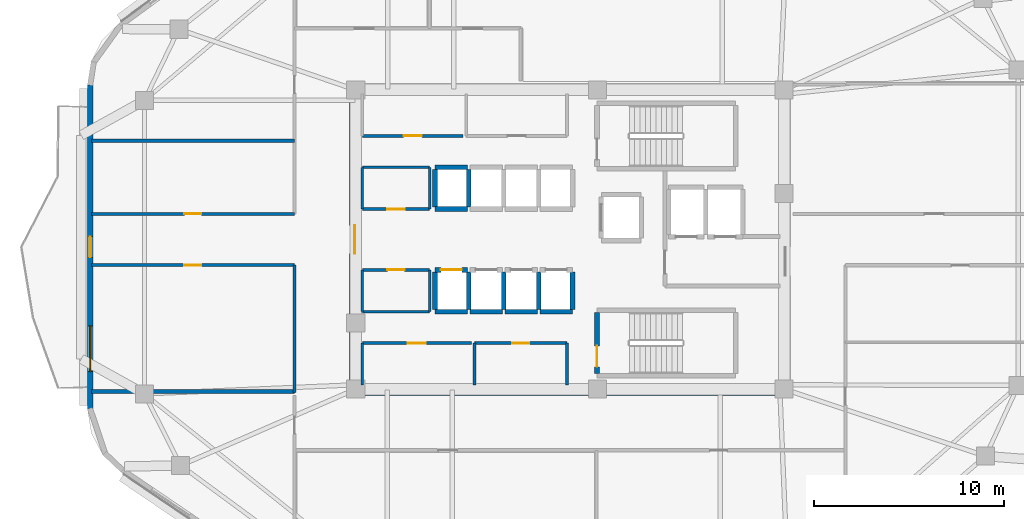
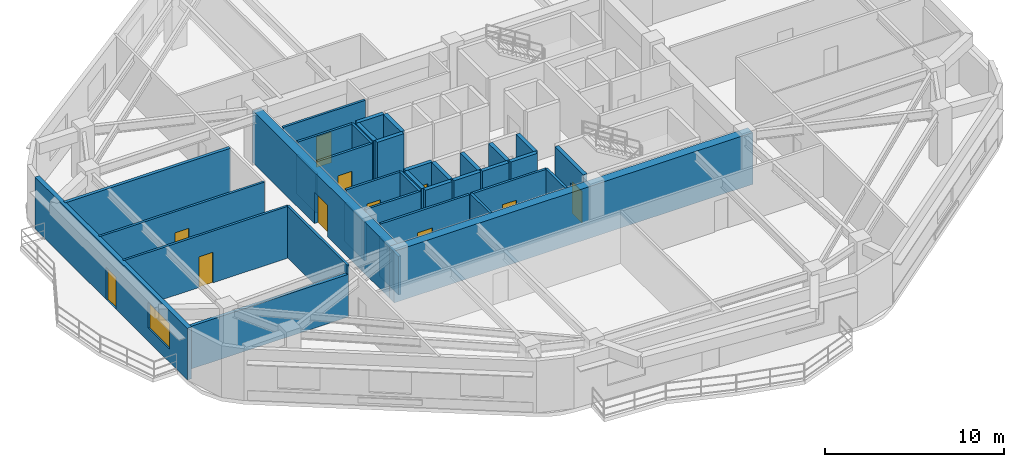
# One storey, part 3 of 9: 37 walls, 11 doors, 1 window, 12 openings.
"""IFC4 building model written with IfcOpenShell, lengths in metres."""

from ifc_helpers import new_model, si_unit, direction, frame, frame_2d, origin, place, context, subcontext, project, spatial, rectangle, extrude, material, layer, layer_set, type_object, element, fill, save


model = new_model("IFC4")

# Units and contexts
model_context = context("Model", 3, precision=1e-05, world=origin(), true_north=direction((0.0, 1.0)))
body_context = subcontext(model_context, "Body", "Model", "MODEL_VIEW")
ifc_project = project(units=[si_unit("LENGTHUNIT", "METRE"), si_unit("AREAUNIT", "SQUARE_METRE"), si_unit("VOLUMEUNIT", "CUBIC_METRE"), si_unit("PLANEANGLEUNIT", "RADIAN"), si_unit("MASSUNIT", "GRAM", prefix="KILO")], contexts=[model_context])

# Site, building, storey
site_placement = place(None, origin())
site = spatial("IfcSite", under=ifc_project, at=site_placement, CompositionType="ELEMENT")
building_placement = place(site_placement, origin())
building = spatial("IfcBuilding", under=site, at=building_placement, Name="Zulverin Broadcast Headquarters", CompositionType="ELEMENT")
storey_placement = place(building_placement, frame((0.0, 0.0, 212.39990234375)))
storey = spatial("IfcBuildingStorey", under=building, at=storey_placement, Name="L54", CompositionType="ELEMENT", Elevation=212.39990234375)

# Walls
ifc_material_1 = material(Name="Acoustic drywall steel stud", Category="steel")
ifc_layer_1 = layer(ifc_material_1, 0.199951171875, Name="Acoustic drywall steel stud", Category="steel")
ifc_layer_set_1 = layer_set([ifc_layer_1], Name="Acoustic drywall steel stud")
wall_type_1 = type_object("IfcWallType", Name="WL-ACOU-200", PredefinedType="PARTITIONING", material=ifc_layer_set_1)
wall_1_placement = place(storey_placement, frame((11.804931640625, 17.199951171875, 0.0), z_axis=(0.0, 0.0, 1.0), x_axis=(1.0, 0.0, 0.0)))
element("IfcWall", 1, at=wall_1_placement, inside=storey, type_object=wall_type_1, Name="L54 Room Partition Wall RP-09", PredefinedType="PARTITIONING", context=body_context, shape_type="SweptSolid", body=[
    extrude(rectangle(XDim=10.695068359375, YDim=0.199951171875, at=frame_2d((5.34765625, 0.0))), origin(), (0.0, 0.0, 1.0), 2.9228515625),
])
wall_2_placement = place(storey_placement, frame((11.804931640625, 30.39990234375, 0.0), z_axis=(0.0, 0.0, 1.0), x_axis=(1.0, 0.0, 0.0)))
element("IfcWall", 2, at=wall_2_placement, inside=storey, type_object=wall_type_1, Name="L54 Room Partition Wall RP-15", PredefinedType="PARTITIONING", context=body_context, shape_type="SweptSolid", body=[
    extrude(rectangle(XDim=10.695068359375, YDim=0.199951171875, at=frame_2d((5.34765625, 0.0))), origin(), (0.0, 0.0, 1.0), 3.5400390625),
])
ifc_material_2 = material(Name="Concrete C60/75", Category="concrete")
ifc_layer_2 = layer(ifc_material_2, 0.550048828125, Name="Concrete C60/75", Category="concrete")
ifc_layer_set_2 = layer_set([ifc_layer_2], Name="Concrete C60/75")
wall_type_2 = type_object("IfcWallType", Name="WL-CORE-550", PredefinedType="SHEAR", material=ifc_layer_set_2)
wall_3_placement = place(storey_placement, frame((25.39990234375, 17.27490234375, 0.0), z_axis=(0.0, 0.0, 1.0), x_axis=(1.0, 0.0, 0.0)))
element("IfcWall", 3, at=wall_3_placement, inside=storey, type_object=wall_type_2, Name="L54 Core South Shear Wall", PredefinedType="SHEAR", context=body_context, shape_type="SweptSolid", body=[
    extrude(rectangle(XDim=23.2001953125, YDim=0.550048828125, at=frame_2d((11.60009765625, 0.0))), origin(), (0.0, 0.0, 1.0), 3.5400390625),
])

# Wall, opening, door
wall_4_placement = place(storey_placement, frame((25.675048828125, 17.550048828125, 0.0), z_axis=(0.0, 0.0, 1.0), x_axis=(0.0, 1.0, 0.0)))
wall_4 = element("IfcWall", 4, at=wall_4_placement, inside=storey, type_object=wall_type_2, Name="L54 Core West Shear Wall", PredefinedType="SHEAR", context=body_context, shape_type="SweptSolid", body=[
    extrude(rectangle(XDim=15.300048828125, YDim=0.550048828125, at=frame_2d((7.64990234375, 0.0))), origin(), (0.0, 0.0, 1.0), 3.5400390625),
])
opening_1_placement = place(wall_4_placement, frame((6.89990234375, 0.0, 0.0)))
opening_1 = element("IfcOpeningElement", 5, at=opening_1_placement, cuts=wall_4, Name="Opening D-L54-CW1", PredefinedType="OPENING", context=body_context, shape_type="SweptSolid", body=[
    extrude(rectangle(XDim=1.5, YDim=2.14990234375, at=frame_2d((0.75, 1.074951171875))), frame((0.0, 0.284912109375, 0.0), z_axis=(0.0, -1.0, 0.0), x_axis=(1.0, 0.0, 0.0)), (0.0, 0.0, 1.0), 0.570068359375),
])
ifc_material_3 = material(Name="Fire-rated glazed steel frame", Category="steel")
door_type_1 = type_object("IfcDoorType", Name="DR-COR-1500", OperationType="DOUBLE_DOOR_SINGLE_SWING", PredefinedType="DOOR", material=ifc_material_3)
door_1_placement = place(opening_1_placement, origin())
door_1 = element("IfcDoor", 6, at=door_1_placement, inside=storey, type_object=door_type_1, Name="L54 Central Lift Lobby West Portal Door", OperationType="DOUBLE_DOOR_SINGLE_SWING", OverallHeight=2.14990234375, OverallWidth=1.5, PredefinedType="DOOR", context=body_context, shape_type="SweptSolid", body=[
    extrude(rectangle(XDim=1.5, YDim=2.14990234375, at=frame_2d((0.75, 1.074951171875))), frame((0.0, 0.02490234375, 0.0), z_axis=(0.0, -1.0, 0.0), x_axis=(1.0, 0.0, 0.0)), (0.0, 0.0, 1.0), 0.050048828125),
])
fill(opening_1, door_1)

# Wall, openings, door, window
ifc_material_4 = material(Name="Insulated pale-metal clad concrete spandrel C40/50", Category="concrete")
ifc_layer_3 = layer(ifc_material_4, 0.280029296875, Name="Insulated pale-metal clad concrete spandrel C40/50", Category="concrete")
ifc_layer_set_3 = layer_set([ifc_layer_3], Name="Insulated pale-metal clad concrete spandrel C40/50")
wall_type_3 = type_object("IfcWallType", Name="WL-EXT-280", PredefinedType="STANDARD", material=ifc_layer_set_3)
wall_5_placement = place(storey_placement, frame((11.739990234375, 33.34033203125, 0.0), z_axis=(0.0, 0.0, 1.0), x_axis=(0.0, -1.0, 0.0)))
wall_5 = element("IfcWall", 7, at=wall_5_placement, inside=storey, type_object=wall_type_3, Name="L54 Pale-Metal Clad Spandrel Wall 7", PredefinedType="STANDARD", context=body_context, shape_type="SweptSolid", body=[
    extrude(rectangle(XDim=17.07275390625, YDim=0.280029296875, at=frame_2d((8.536376953125, 0.0))), origin(), (0.0, 0.0, 1.0), 3.5400390625),
])
opening_2_placement = place(wall_5_placement, frame((7.986328125, 0.0, 0.0)))
opening_2 = element("IfcOpeningElement", 8, at=opening_2_placement, cuts=wall_5, Name="Opening D-L54-TR7", PredefinedType="OPENING", context=body_context, shape_type="SweptSolid", body=[
    extrude(rectangle(XDim=1.10009765625, YDim=2.199951171875, at=frame_2d((0.550048828125, 1.10009765625))), frame((0.0, 0.14990234375, 0.0), z_axis=(0.0, -1.0, 0.0), x_axis=(1.0, 0.0, 0.0)), (0.0, 0.0, 1.0), 0.300048828125),
])
opening_3_placement = place(wall_5_placement, frame((12.69384765625, 0.0, 0.89990234375)))
opening_3 = element("IfcOpeningElement", 9, at=opening_3_placement, cuts=wall_5, Name="Opening W-L54-E71", PredefinedType="OPENING", context=body_context, shape_type="SweptSolid", body=[
    extrude(rectangle(XDim=2.39990234375, YDim=1.75, at=frame_2d((1.199951171875, 0.875))), frame((0.0, 0.14990234375, 0.0), z_axis=(0.0, -1.0, 0.0), x_axis=(1.0, 0.0, 0.0)), (0.0, 0.0, 1.0), 0.300048828125),
])
ifc_material_5 = material(Name="Thermally broken aluminium glazed", Category="aluminium")
door_type_2 = type_object("IfcDoorType", Name="DR-TERR-1100", OperationType="SINGLE_SWING_RIGHT", PredefinedType="DOOR", material=ifc_material_5)
door_2_placement = place(opening_2_placement, origin())
door_2 = element("IfcDoor", 10, at=door_2_placement, inside=storey, type_object=door_type_2, Name="L54 Planted Terrace Glazed Access Door 7", OperationType="SINGLE_SWING_RIGHT", OverallHeight=2.199951171875, OverallWidth=1.10009765625, PredefinedType="DOOR", context=body_context, shape_type="SweptSolid", body=[
    extrude(rectangle(XDim=1.10009765625, YDim=2.199951171875, at=frame_2d((0.550048828125, 1.10009765625))), frame((0.0, 0.02490234375, 0.0), z_axis=(0.0, -1.0, 0.0), x_axis=(1.0, 0.0, 0.0)), (0.0, 0.0, 1.0), 0.050048828125),
])
fill(opening_2, door_2)
ifc_material_6 = material(Name="Pale anodized aluminium frame with solar-control low-E double glazing", Category="aluminium")
window_type = type_object("IfcWindowType", Name="WIN-RIB-2400", PartitioningType="SINGLE_PANEL", PredefinedType="WINDOW", material=ifc_material_6)
window_placement = place(opening_3_placement, origin())
window = element("IfcWindow", 11, at=window_placement, inside=storey, type_object=window_type, Name="L54 Ribbon Glazing Window 7 1", OverallHeight=1.75, OverallWidth=2.39990234375, PartitioningType="SINGLE_PANEL", PredefinedType="WINDOW", context=body_context, shape_type="SweptSolid", body=[
    extrude(rectangle(XDim=2.39990234375, YDim=1.75, at=frame_2d((1.199951171875, 0.875))), frame((0.0, 0.030029296875, 0.0), z_axis=(0.0, -1.0, 0.0), x_axis=(1.0, 0.0, 0.0)), (0.0, 0.0, 1.0), 0.06005859375),
])
fill(opening_3, window)

# Wall, opening, door
ifc_material_7 = material(Name="Fire-rated gypsum stud partition", Category="gypsum")
ifc_layer_4 = layer(ifc_material_7, 0.14990234375, Name="Fire-rated gypsum stud partition", Category="gypsum")
ifc_layer_set_4 = layer_set([ifc_layer_4], Name="Fire-rated gypsum stud partition")
wall_type_4 = type_object("IfcWallType", Name="WL-PART-150", PredefinedType="PARTITIONING", material=ifc_layer_set_4)
wall_6_placement = place(storey_placement, frame((26.070068359375, 30.64990234375, 0.0), z_axis=(0.0, 0.0, 1.0), x_axis=(1.0, 0.0, 0.0)))
wall_6 = element("IfcWall", 12, at=wall_6_placement, inside=storey, type_object=wall_type_4, Name="L54 Core Male WC Front Wall", PredefinedType="PARTITIONING", context=body_context, shape_type="SweptSolid", body=[
    extrude(rectangle(XDim=5.309814453125, YDim=0.14990234375, at=frame_2d((2.65478515625, 0.0))), origin(), (0.0, 0.0, 1.0), 3.5400390625),
])
opening_4_placement = place(wall_6_placement, frame((2.179931640625, 0.0, 0.0)))
opening_4 = element("IfcOpeningElement", 13, at=opening_4_placement, cuts=wall_6, Name="Opening D-L54-NC1", PredefinedType="OPENING", context=body_context, shape_type="SweptSolid", body=[
    extrude(rectangle(XDim=0.949951171875, YDim=2.10009765625, at=frame_2d((0.47509765625, 1.050048828125))), frame((0.0, 0.0849609375, 0.0), z_axis=(0.0, -1.0, 0.0), x_axis=(1.0, 0.0, 0.0)), (0.0, 0.0, 1.0), 0.169921875),
])
ifc_material_8 = material(Name="Fire-rated moisture-resistant laminate leaf", Category="wood")
door_type_3 = type_object("IfcDoorType", Name="DR-WC-950", OperationType="SINGLE_SWING_LEFT", PredefinedType="DOOR", material=ifc_material_8)
door_3_placement = place(opening_4_placement, origin())
door_3 = element("IfcDoor", 14, at=door_3_placement, inside=storey, type_object=door_type_3, Name="L54 Male WC Door", OperationType="SINGLE_SWING_LEFT", OverallHeight=2.10009765625, OverallWidth=0.949951171875, PredefinedType="DOOR", context=body_context, shape_type="SweptSolid", body=[
    extrude(rectangle(XDim=0.949951171875, YDim=2.10009765625, at=frame_2d((0.47509765625, 1.050048828125))), frame((0.0, 0.02490234375, 0.0), z_axis=(0.0, -1.0, 0.0), x_axis=(1.0, 0.0, 0.0)), (0.0, 0.0, 1.0), 0.050048828125),
])
fill(opening_4, door_3)

wall_7_placement = place(storey_placement, frame((26.070068359375, 19.75, 0.0), z_axis=(0.0, 0.0, 1.0), x_axis=(1.0, 0.0, 0.0)))
wall_7 = element("IfcWall", 15, at=wall_7_placement, inside=storey, type_object=wall_type_4, Name="L54 Core Female WC Front Wall", PredefinedType="PARTITIONING", context=body_context, shape_type="SweptSolid", body=[
    extrude(rectangle(XDim=5.739990234375, YDim=0.14990234375, at=frame_2d((2.8701171875, 0.0))), origin(), (0.0, 0.0, 1.0), 3.5400390625),
])
opening_5_placement = place(wall_7_placement, frame((2.39501953125, 0.0, 0.0)))
opening_5 = element("IfcOpeningElement", 16, at=opening_5_placement, cuts=wall_7, Name="Opening D-L54-SC1", PredefinedType="OPENING", context=body_context, shape_type="SweptSolid", body=[
    extrude(rectangle(XDim=0.949951171875, YDim=2.10009765625, at=frame_2d((0.47509765625, 1.050048828125))), frame((0.0, 0.0849609375, 0.0), z_axis=(0.0, -1.0, 0.0), x_axis=(1.0, 0.0, 0.0)), (0.0, 0.0, 1.0), 0.169921875),
])
door_4_placement = place(opening_5_placement, origin())
door_4 = element("IfcDoor", 17, at=door_4_placement, inside=storey, type_object=door_type_3, Name="L54 Female WC Door", OperationType="SINGLE_SWING_LEFT", OverallHeight=2.10009765625, OverallWidth=0.949951171875, PredefinedType="DOOR", context=body_context, shape_type="SweptSolid", body=[
    extrude(rectangle(XDim=0.949951171875, YDim=2.10009765625, at=frame_2d((0.47509765625, 1.050048828125))), frame((0.0, 0.02490234375, 0.0), z_axis=(0.0, -1.0, 0.0), x_axis=(1.0, 0.0, 0.0)), (0.0, 0.0, 1.0), 0.050048828125),
])
fill(opening_5, door_4)

# Wall
wall_8_placement = place(storey_placement, frame((26.070068359375, 17.550048828125, 0.0), z_axis=(0.0, 0.0, 1.0), x_axis=(0.0, 1.0, 0.0)))
element("IfcWall", 18, at=wall_8_placement, inside=storey, type_object=wall_type_4, Name="L54 Core Female WC West Wall", PredefinedType="PARTITIONING", context=body_context, shape_type="SweptSolid", body=[
    extrude(rectangle(XDim=2.199951171875, YDim=0.14990234375, at=frame_2d((1.10009765625, 0.0))), origin(), (0.0, 0.0, 1.0), 2.64013671875),
])

# Wall, opening, door
wall_9_placement = place(storey_placement, frame((31.969970703125, 19.75, 0.0), z_axis=(0.0, 0.0, 1.0), x_axis=(1.0, 0.0, 0.0)))
wall_9 = element("IfcWall", 19, at=wall_9_placement, inside=storey, type_object=wall_type_4, Name="L54 Core Cleaner Store & Telecoms Riser Front Wall", PredefinedType="PARTITIONING", context=body_context, shape_type="SweptSolid", body=[
    extrude(rectangle(XDim=4.880126953125, YDim=0.14990234375, at=frame_2d((2.43994140625, 0.0))), origin(), (0.0, 0.0, 1.0), 3.5400390625),
])
opening_6_placement = place(wall_9_placement, frame((1.989990234375, 0.0, 0.0)))
opening_6 = element("IfcOpeningElement", 20, at=opening_6_placement, cuts=wall_9, Name="Opening D-L54-SC2", PredefinedType="OPENING", context=body_context, shape_type="SweptSolid", body=[
    extrude(rectangle(XDim=0.89990234375, YDim=2.10009765625, at=frame_2d((0.449951171875, 1.050048828125))), frame((0.0, 0.0849609375, 0.0), z_axis=(0.0, -1.0, 0.0), x_axis=(1.0, 0.0, 0.0)), (0.0, 0.0, 1.0), 0.169921875),
])
ifc_material_9 = material(Name="Powder-coated steel access leaf", Category="steel")
door_type_4 = type_object("IfcDoorType", Name="DR-RISER-900", OperationType="SINGLE_SWING_LEFT", PredefinedType="DOOR", material=ifc_material_9)
door_5_placement = place(opening_6_placement, origin())
door_5 = element("IfcDoor", 21, at=door_5_placement, inside=storey, type_object=door_type_4, Name="L54 Cleaner Store & Telecoms Riser Door", OperationType="SINGLE_SWING_RIGHT", OverallHeight=2.10009765625, OverallWidth=0.89990234375, PredefinedType="DOOR", context=body_context, shape_type="SweptSolid", body=[
    extrude(rectangle(XDim=0.89990234375, YDim=2.10009765625, at=frame_2d((0.449951171875, 1.050048828125))), frame((0.0, 0.02490234375, 0.0), z_axis=(0.0, -1.0, 0.0), x_axis=(1.0, 0.0, 0.0)), (0.0, 0.0, 1.0), 0.050048828125),
])
fill(opening_6, door_5)

# Walls
for number, where, z_axis, x_axis, name in (
    (22, (31.969970703125, 17.550048828125, 0.0), (0.0, 0.0, 1.0), (0.0, 1.0, 0.0), "L54 Core Cleaner Store & Telecoms Riser West Wall"),
    (23, (36.85009765625, 17.550048828125, 0.0), (0.0, 0.0, 1.0), (0.0, 1.0, 0.0), "L54 Core Cleaner Store & Telecoms Riser East Wall"),
):
    element("IfcWall", number, at=place(storey_placement, frame(where, z_axis=z_axis, x_axis=x_axis)), inside=storey, type_object=wall_type_4, Name=name, PredefinedType="PARTITIONING", context=body_context, shape_type="SweptSolid", body=[
        extrude(rectangle(XDim=2.199951171875, YDim=0.14990234375, at=frame_2d((1.10009765625, 0.0))), origin(), (0.0, 0.0, 1.0), 3.5400390625),
    ])

# Wall, opening, door
wall_10_placement = place(storey_placement, frame((26.070068359375, 26.800048828125, 0.0), z_axis=(0.0, 0.0, 1.0), x_axis=(1.0, 0.0, 0.0)))
wall_10 = element("IfcWall", 24, at=wall_10_placement, inside=storey, type_object=wall_type_4, Name="L54 Broadcast Signal Patch Room S Wall", PredefinedType="PARTITIONING", context=body_context, shape_type="SweptSolid", body=[
    extrude(rectangle(XDim=3.550048828125, YDim=0.14990234375, at=frame_2d((1.77490234375, 0.0))), origin(), (0.0, 0.0, 1.0), 3.5400390625),
])
opening_7_placement = place(wall_10_placement, frame((1.324951171875, 0.0, 0.0)))
opening_7 = element("IfcOpeningElement", 25, at=opening_7_placement, cuts=wall_10, Name="Opening D-L54-RCLN", PredefinedType="OPENING", context=body_context, shape_type="SweptSolid", body=[
    extrude(rectangle(XDim=0.89990234375, YDim=2.10009765625, at=frame_2d((0.449951171875, 1.050048828125))), frame((0.0, 0.0849609375, 0.0), z_axis=(0.0, -1.0, 0.0), x_axis=(1.0, 0.0, 0.0)), (0.0, 0.0, 1.0), 0.169921875),
])
door_6_placement = place(opening_7_placement, origin())
door_6 = element("IfcDoor", 26, at=door_6_placement, inside=storey, type_object=door_type_4, Name="L54 Broadcast Signal Patch Room Door", OperationType="SINGLE_SWING_LEFT", OverallHeight=2.10009765625, OverallWidth=0.89990234375, PredefinedType="DOOR", context=body_context, shape_type="SweptSolid", body=[
    extrude(rectangle(XDim=0.89990234375, YDim=2.10009765625, at=frame_2d((0.449951171875, 1.050048828125))), frame((0.0, 0.02490234375, 0.0), z_axis=(0.0, -1.0, 0.0), x_axis=(1.0, 0.0, 0.0)), (0.0, 0.0, 1.0), 0.050048828125),
])
fill(opening_7, door_6)

# Walls
wall_11_placement = place(storey_placement, frame((26.070068359375, 29.0, 0.0), z_axis=(0.0, 0.0, 1.0), x_axis=(1.0, 0.0, 0.0)))
element("IfcWall", 27, at=wall_11_placement, inside=storey, type_object=wall_type_4, Name="L54 Broadcast Signal Patch Room N Wall", PredefinedType="PARTITIONING", context=body_context, shape_type="SweptSolid", body=[
    extrude(rectangle(XDim=3.550048828125, YDim=0.14990234375, at=frame_2d((1.77490234375, 0.0))), origin(), (0.0, 0.0, 1.0), 3.5400390625),
])
wall_12_placement = place(storey_placement, frame((26.070068359375, 26.800048828125, 0.0), z_axis=(0.0, 0.0, 1.0), x_axis=(0.0, 1.0, 0.0)))
element("IfcWall", 28, at=wall_12_placement, inside=storey, type_object=wall_type_4, Name="L54 Broadcast Signal Patch Room W Wall", PredefinedType="PARTITIONING", context=body_context, shape_type="SweptSolid", body=[
    extrude(rectangle(XDim=2.199951171875, YDim=0.14990234375, at=frame_2d((1.10009765625, 0.0))), origin(), (0.0, 0.0, 1.0), 2.64013671875),
])
wall_13_placement = place(storey_placement, frame((29.6201171875, 26.800048828125, 0.0), z_axis=(0.0, 0.0, 1.0), x_axis=(0.0, 1.0, 0.0)))
element("IfcWall", 29, at=wall_13_placement, inside=storey, type_object=wall_type_4, Name="L54 Broadcast Signal Patch Room E Wall", PredefinedType="PARTITIONING", context=body_context, shape_type="SweptSolid", body=[
    extrude(rectangle(XDim=2.199951171875, YDim=0.14990234375, at=frame_2d((1.10009765625, 0.0))), origin(), (0.0, 0.0, 1.0), 3.5400390625),
])
wall_14_placement = place(storey_placement, frame((26.070068359375, 21.39990234375, 0.0), z_axis=(0.0, 0.0, 1.0), x_axis=(1.0, 0.0, 0.0)))
element("IfcWall", 30, at=wall_14_placement, inside=storey, type_object=wall_type_4, Name="L54 Media Ingestion Server Room S Wall", PredefinedType="PARTITIONING", context=body_context, shape_type="SweptSolid", body=[
    extrude(rectangle(XDim=3.550048828125, YDim=0.14990234375, at=frame_2d((1.77490234375, 0.0))), origin(), (0.0, 0.0, 1.0), 3.5400390625),
])

# Wall, opening, door
wall_15_placement = place(storey_placement, frame((26.070068359375, 23.60009765625, 0.0), z_axis=(0.0, 0.0, 1.0), x_axis=(1.0, 0.0, 0.0)))
wall_15 = element("IfcWall", 31, at=wall_15_placement, inside=storey, type_object=wall_type_4, Name="L54 Media Ingestion Server Room N Wall", PredefinedType="PARTITIONING", context=body_context, shape_type="SweptSolid", body=[
    extrude(rectangle(XDim=3.550048828125, YDim=0.14990234375, at=frame_2d((1.77490234375, 0.0))), origin(), (0.0, 0.0, 1.0), 3.5400390625),
])
opening_8_placement = place(wall_15_placement, frame((1.324951171875, 0.0, 0.0)))
opening_8 = element("IfcOpeningElement", 32, at=opening_8_placement, cuts=wall_15, Name="Opening D-L54-RCLS", PredefinedType="OPENING", context=body_context, shape_type="SweptSolid", body=[
    extrude(rectangle(XDim=0.89990234375, YDim=2.10009765625, at=frame_2d((0.449951171875, 1.050048828125))), frame((0.0, 0.0849609375, 0.0), z_axis=(0.0, -1.0, 0.0), x_axis=(1.0, 0.0, 0.0)), (0.0, 0.0, 1.0), 0.169921875),
])
door_7_placement = place(opening_8_placement, origin())
door_7 = element("IfcDoor", 33, at=door_7_placement, inside=storey, type_object=door_type_4, Name="L54 Media Ingestion Server Room Door", OperationType="SINGLE_SWING_RIGHT", OverallHeight=2.10009765625, OverallWidth=0.89990234375, PredefinedType="DOOR", context=body_context, shape_type="SweptSolid", body=[
    extrude(rectangle(XDim=0.89990234375, YDim=2.10009765625, at=frame_2d((0.449951171875, 1.050048828125))), frame((0.0, 0.02490234375, 0.0), z_axis=(0.0, -1.0, 0.0), x_axis=(1.0, 0.0, 0.0)), (0.0, 0.0, 1.0), 0.050048828125),
])
fill(opening_8, door_7)

# Walls
wall_16_placement = place(storey_placement, frame((26.070068359375, 21.39990234375, 0.0), z_axis=(0.0, 0.0, 1.0), x_axis=(0.0, 1.0, 0.0)))
element("IfcWall", 34, at=wall_16_placement, inside=storey, type_object=wall_type_4, Name="L54 Media Ingestion Server Room W Wall", PredefinedType="PARTITIONING", context=body_context, shape_type="SweptSolid", body=[
    extrude(rectangle(XDim=2.2001953125, YDim=0.14990234375, at=frame_2d((1.10009765625, 0.0))), origin(), (0.0, 0.0, 1.0), 2.64013671875),
])
wall_17_placement = place(storey_placement, frame((29.6201171875, 21.39990234375, 0.0), z_axis=(0.0, 0.0, 1.0), x_axis=(0.0, 1.0, 0.0)))
element("IfcWall", 35, at=wall_17_placement, inside=storey, type_object=wall_type_4, Name="L54 Media Ingestion Server Room E Wall", PredefinedType="PARTITIONING", context=body_context, shape_type="SweptSolid", body=[
    extrude(rectangle(XDim=2.2001953125, YDim=0.14990234375, at=frame_2d((1.10009765625, 0.0))), origin(), (0.0, 0.0, 1.0), 3.5400390625),
])
wall_18_placement = place(storey_placement, frame((22.5, 17.139892578125, 0.0), z_axis=(0.0, 0.0, 1.0), x_axis=(0.0, 1.0, 0.0)))
element("IfcWall", 36, at=wall_18_placement, inside=storey, type_object=wall_type_4, Name="L54 Gallery Partition Wall CG-06", PredefinedType="PARTITIONING", context=body_context, shape_type="SweptSolid", body=[
    extrude(rectangle(XDim=6.710205078125, YDim=0.14990234375, at=frame_2d((3.35498046875, 0.0))), origin(), (0.0, 0.0, 1.0), 3.5400390625),
])

# Wall, opening, door
wall_19_placement = place(storey_placement, frame((11.804931640625, 23.85009765625, 0.0), z_axis=(0.0, 0.0, 1.0), x_axis=(1.0, 0.0, 0.0)))
wall_19 = element("IfcWall", 37, at=wall_19_placement, inside=storey, type_object=wall_type_4, Name="L54 Gallery Partition Wall CG-11", PredefinedType="PARTITIONING", context=body_context, shape_type="SweptSolid", body=[
    extrude(rectangle(XDim=10.695068359375, YDim=0.14990234375, at=frame_2d((5.34765625, 0.0))), origin(), (0.0, 0.0, 1.0), 3.5400390625),
])
opening_9_placement = place(wall_19_placement, frame((4.8974609375, 0.0, 0.0)))
opening_9 = element("IfcOpeningElement", 38, at=opening_9_placement, cuts=wall_19, Name="Opening D-L54-06", PredefinedType="OPENING", context=body_context, shape_type="SweptSolid", body=[
    extrude(rectangle(XDim=0.89990234375, YDim=2.10009765625, at=frame_2d((0.449951171875, 1.050048828125))), frame((0.0, 0.0849609375, 0.0), z_axis=(0.0, -1.0, 0.0), x_axis=(1.0, 0.0, 0.0)), (0.0, 0.0, 1.0), 0.169921875),
])
ifc_material_10 = material(Name="Fire-rated hardwood veneer timber leaf", Category="wood")
door_type_5 = type_object("IfcDoorType", Name="DR-ROOM-900", OperationType="SINGLE_SWING_RIGHT", PredefinedType="DOOR", material=ifc_material_10)
door_8_placement = place(opening_9_placement, origin())
door_8 = element("IfcDoor", 39, at=door_8_placement, inside=storey, type_object=door_type_5, Name="L54 Interview Room Door", OperationType="SINGLE_SWING_RIGHT", OverallHeight=2.10009765625, OverallWidth=0.89990234375, PredefinedType="DOOR", context=body_context, shape_type="SweptSolid", body=[
    extrude(rectangle(XDim=0.89990234375, YDim=2.10009765625, at=frame_2d((0.449951171875, 1.050048828125))), frame((0.0, 0.02490234375, 0.0), z_axis=(0.0, -1.0, 0.0), x_axis=(1.0, 0.0, 0.0)), (0.0, 0.0, 1.0), 0.050048828125),
])
fill(opening_9, door_8)

wall_20_placement = place(storey_placement, frame((11.804931640625, 26.550048828125, 0.0), z_axis=(0.0, 0.0, 1.0), x_axis=(1.0, 0.0, 0.0)))
wall_20 = element("IfcWall", 40, at=wall_20_placement, inside=storey, type_object=wall_type_4, Name="L54 Gallery Partition Wall CG-13", PredefinedType="PARTITIONING", context=body_context, shape_type="SweptSolid", body=[
    extrude(rectangle(XDim=10.695068359375, YDim=0.14990234375, at=frame_2d((5.34765625, 0.0))), origin(), (0.0, 0.0, 1.0), 3.5400390625),
])
opening_10_placement = place(wall_20_placement, frame((4.8974609375, 0.0, 0.0)))
opening_10 = element("IfcOpeningElement", 41, at=opening_10_placement, cuts=wall_20, Name="Opening D-L54-07", PredefinedType="OPENING", context=body_context, shape_type="SweptSolid", body=[
    extrude(rectangle(XDim=0.89990234375, YDim=2.10009765625, at=frame_2d((0.449951171875, 1.050048828125))), frame((0.0, 0.0849609375, 0.0), z_axis=(0.0, -1.0, 0.0), x_axis=(1.0, 0.0, 0.0)), (0.0, 0.0, 1.0), 0.169921875),
])
door_9_placement = place(opening_10_placement, origin())
door_9 = element("IfcDoor", 42, at=door_9_placement, inside=storey, type_object=door_type_5, Name="L54 Huddle Room Door", OperationType="SINGLE_SWING_LEFT", OverallHeight=2.10009765625, OverallWidth=0.89990234375, PredefinedType="DOOR", context=body_context, shape_type="SweptSolid", body=[
    extrude(rectangle(XDim=0.89990234375, YDim=2.10009765625, at=frame_2d((0.449951171875, 1.050048828125))), frame((0.0, 0.02490234375, 0.0), z_axis=(0.0, -1.0, 0.0), x_axis=(1.0, 0.0, 0.0)), (0.0, 0.0, 1.0), 0.050048828125),
])
fill(opening_10, door_9)

ifc_material_11 = material(Name="Concrete C50/60", Category="concrete")
ifc_layer_5 = layer(ifc_material_11, 0.25, Name="Concrete C50/60", Category="concrete")
ifc_layer_set_5 = layer_set([ifc_layer_5], Name="Concrete C50/60")
wall_type_5 = type_object("IfcWallType", Name="WL-SHAFT-250", PredefinedType="SHEAR", material=ifc_layer_set_5)
wall_21_placement = place(storey_placement, frame((38.425048828125, 18.14990234375, 0.0), z_axis=(0.0, 0.0, 1.0), x_axis=(0.0, 1.0, 0.0)))
wall_21 = element("IfcWall", 43, at=wall_21_placement, inside=storey, type_object=wall_type_5, Name="L54 ST-2 Enclosure Wall W", PredefinedType="SHEAR", context=body_context, shape_type="SweptSolid", body=[
    extrude(rectangle(XDim=3.2001953125, YDim=0.25, at=frame_2d((1.60009765625, 0.0))), origin(), (0.0, 0.0, 1.0), 3.5400390625),
])
opening_11_placement = place(wall_21_placement, frame((0.35009765625, 0.0, 0.0)))
opening_11 = element("IfcOpeningElement", 44, at=opening_11_placement, cuts=wall_21, Name="Opening D-L54-ST-2", PredefinedType="OPENING", context=body_context, shape_type="SweptSolid", body=[
    extrude(rectangle(XDim=1.10009765625, YDim=2.14990234375, at=frame_2d((0.550048828125, 1.074951171875))), frame((0.0, 0.135009765625, 0.0), z_axis=(0.0, -1.0, 0.0), x_axis=(1.0, 0.0, 0.0)), (0.0, 0.0, 1.0), 0.27001953125),
])
ifc_material_12 = material(Name="Fire-rated steel leaf and frame", Category="steel")
door_type_6 = type_object("IfcDoorType", Name="DR-STAIR-1100", OperationType="SINGLE_SWING_LEFT", PredefinedType="DOOR", material=ifc_material_12)
door_10_placement = place(opening_11_placement, origin())
door_10 = element("IfcDoor", 45, at=door_10_placement, inside=storey, type_object=door_type_6, Name="L54 Exit Stair ST-2 Fire Door", OperationType="SINGLE_SWING_RIGHT", OverallHeight=2.14990234375, OverallWidth=1.10009765625, PredefinedType="DOOR", context=body_context, shape_type="SweptSolid", body=[
    extrude(rectangle(XDim=1.10009765625, YDim=2.14990234375, at=frame_2d((0.550048828125, 1.074951171875))), frame((0.0, 0.02490234375, 0.0), z_axis=(0.0, -1.0, 0.0), x_axis=(1.0, 0.0, 0.0)), (0.0, 0.0, 1.0), 0.050048828125),
])
fill(opening_11, door_10)

# Wall
wall_22_placement = place(storey_placement, frame((29.89990234375, 21.39990234375, 0.0), z_axis=(0.0, 0.0, 1.0), x_axis=(1.0, 0.0, 0.0)))
element("IfcWall", 46, at=wall_22_placement, inside=storey, type_object=wall_type_5, Name="L54 Lift PL-M1 Shaft Wall S", PredefinedType="SHEAR", context=body_context, shape_type="SweptSolid", body=[
    extrude(rectangle(XDim=1.72021484375, YDim=0.25, at=frame_2d((0.860107421875, 0.0))), origin(), (0.0, 0.0, 1.0), 3.5400390625),
])

# Wall, opening, door
wall_23_placement = place(storey_placement, frame((29.89990234375, 23.60009765625, 0.0), z_axis=(0.0, 0.0, 1.0), x_axis=(1.0, 0.0, 0.0)))
wall_23 = element("IfcWall", 47, at=wall_23_placement, inside=storey, type_object=wall_type_5, Name="L54 Lift PL-M1 Shaft Wall N", PredefinedType="SHEAR", context=body_context, shape_type="SweptSolid", body=[
    extrude(rectangle(XDim=1.72021484375, YDim=0.25, at=frame_2d((0.860107421875, 0.0))), origin(), (0.0, 0.0, 1.0), 3.5400390625),
])
opening_12_placement = place(wall_23_placement, frame((0.31005859375, 0.0, 0.0)))
opening_12 = element("IfcOpeningElement", 48, at=opening_12_placement, cuts=wall_23, Name="Opening LD-PL-M1-L54", PredefinedType="OPENING", context=body_context, shape_type="SweptSolid", body=[
    extrude(rectangle(XDim=1.10009765625, YDim=2.14990234375, at=frame_2d((0.550048828125, 1.074951171875))), frame((0.0, 0.135009765625, 0.0), z_axis=(0.0, -1.0, 0.0), x_axis=(1.0, 0.0, 0.0)), (0.0, 0.0, 1.0), 0.27001953125),
])
ifc_material_13 = material(Name="Brushed stainless steel landing", Category="steel")
door_type_7 = type_object("IfcDoorType", Name="LD-PASS-1100", OperationType="DOUBLE_DOOR_SLIDING", PredefinedType="DOOR", material=ifc_material_13)
door_11_placement = place(opening_12_placement, origin())
door_11 = element("IfcDoor", 49, at=door_11_placement, inside=storey, type_object=door_type_7, Name="L54 Lift PL-M1 Sliding Landing Door", OperationType="DOUBLE_DOOR_SLIDING", OverallHeight=2.14990234375, OverallWidth=1.10009765625, PredefinedType="DOOR", context=body_context, shape_type="SweptSolid", body=[
    extrude(rectangle(XDim=1.10009765625, YDim=2.14990234375, at=frame_2d((0.550048828125, 1.074951171875))), frame((0.0, 0.02490234375, 0.0), z_axis=(0.0, -1.0, 0.0), x_axis=(1.0, 0.0, 0.0)), (0.0, 0.0, 1.0), 0.050048828125),
])
fill(opening_12, door_11)

# Walls
for number, where, z_axis, x_axis, name in (
    (50, (29.89990234375, 21.52001953125, 0.0), (0.0, 0.0, 1.0), (0.0, 1.0, 0.0), "L54 Lift PL-M1 Shaft Wall W"),
    (51, (31.679931640625, 21.52001953125, 0.0), (0.0, 0.0, 1.0), (0.0, 1.0, 0.0), "L54 Lift PL-M1 Shaft Wall E"),
):
    element("IfcWall", number, at=place(storey_placement, frame(where, z_axis=z_axis, x_axis=x_axis)), inside=storey, type_object=wall_type_5, Name=name, PredefinedType="SHEAR", context=body_context, shape_type="SweptSolid", body=[
        extrude(rectangle(XDim=1.9599609375, YDim=0.25, at=frame_2d((0.97998046875, 0.0))), origin(), (0.0, 0.0, 1.0), 3.5400390625),
    ])
wall_24_placement = place(storey_placement, frame((31.739990234375, 21.39990234375, 0.0), z_axis=(0.0, 0.0, 1.0), x_axis=(1.0, 0.0, 0.0)))
element("IfcWall", 52, at=wall_24_placement, inside=storey, type_object=wall_type_5, Name="L54 Lift PL-M2 Shaft Wall S", PredefinedType="SHEAR", context=body_context, shape_type="SweptSolid", body=[
    extrude(rectangle(XDim=1.719970703125, YDim=0.25, at=frame_2d((0.85986328125, 0.0))), origin(), (0.0, 0.0, 1.0), 3.5400390625),
])
wall_25_placement = place(storey_placement, frame((33.52001953125, 21.52001953125, 0.0), z_axis=(0.0, 0.0, 1.0), x_axis=(0.0, 1.0, 0.0)))
element("IfcWall", 53, at=wall_25_placement, inside=storey, type_object=wall_type_5, Name="L54 Lift PL-M2 Shaft Wall E", PredefinedType="SHEAR", context=body_context, shape_type="SweptSolid", body=[
    extrude(rectangle(XDim=1.9599609375, YDim=0.25, at=frame_2d((0.97998046875, 0.0))), origin(), (0.0, 0.0, 1.0), 3.5400390625),
])
wall_26_placement = place(storey_placement, frame((33.580078125, 21.39990234375, 0.0), z_axis=(0.0, 0.0, 1.0), x_axis=(1.0, 0.0, 0.0)))
element("IfcWall", 54, at=wall_26_placement, inside=storey, type_object=wall_type_5, Name="L54 Lift PL-M3 Shaft Wall S", PredefinedType="SHEAR", context=body_context, shape_type="SweptSolid", body=[
    extrude(rectangle(XDim=1.719970703125, YDim=0.25, at=frame_2d((0.85986328125, 0.0))), origin(), (0.0, 0.0, 1.0), 3.5400390625),
])
wall_27_placement = place(storey_placement, frame((35.360107421875, 21.52001953125, 0.0), z_axis=(0.0, 0.0, 1.0), x_axis=(0.0, 1.0, 0.0)))
element("IfcWall", 55, at=wall_27_placement, inside=storey, type_object=wall_type_5, Name="L54 Lift PL-M3 Shaft Wall E", PredefinedType="SHEAR", context=body_context, shape_type="SweptSolid", body=[
    extrude(rectangle(XDim=1.9599609375, YDim=0.25, at=frame_2d((0.97998046875, 0.0))), origin(), (0.0, 0.0, 1.0), 3.5400390625),
])
wall_28_placement = place(storey_placement, frame((35.419921875, 21.39990234375, 0.0), z_axis=(0.0, 0.0, 1.0), x_axis=(1.0, 0.0, 0.0)))
element("IfcWall", 56, at=wall_28_placement, inside=storey, type_object=wall_type_5, Name="L54 Lift PL-M4 Shaft Wall S", PredefinedType="SHEAR", context=body_context, shape_type="SweptSolid", body=[
    extrude(rectangle(XDim=1.719970703125, YDim=0.25, at=frame_2d((0.85986328125, 0.0))), origin(), (0.0, 0.0, 1.0), 3.5400390625),
])
wall_29_placement = place(storey_placement, frame((37.139892578125, 21.52001953125, 0.0), z_axis=(0.0, 0.0, 1.0), x_axis=(0.0, 1.0, 0.0)))
element("IfcWall", 57, at=wall_29_placement, inside=storey, type_object=wall_type_5, Name="L54 Lift PL-M4 Shaft Wall E", PredefinedType="SHEAR", context=body_context, shape_type="SweptSolid", body=[
    extrude(rectangle(XDim=1.9599609375, YDim=0.25, at=frame_2d((0.97998046875, 0.0))), origin(), (0.0, 0.0, 1.0), 3.5400390625),
])
for number, where, z_axis, x_axis, name in (
    (58, (29.89990234375, 26.800048828125, 0.0), (0.0, 0.0, 1.0), (1.0, 0.0, 0.0), "L54 Lift PL-H1 Shaft Wall S"),
    (59, (29.89990234375, 29.0, 0.0), (0.0, 0.0, 1.0), (1.0, 0.0, 0.0), "L54 Lift PL-H1 Shaft Wall N"),
):
    element("IfcWall", number, at=place(storey_placement, frame(where, z_axis=z_axis, x_axis=x_axis)), inside=storey, type_object=wall_type_5, Name=name, PredefinedType="SHEAR", context=body_context, shape_type="SweptSolid", body=[
        extrude(rectangle(XDim=1.72021484375, YDim=0.25, at=frame_2d((0.860107421875, 0.0))), origin(), (0.0, 0.0, 1.0), 3.5400390625),
    ])
for number, where, z_axis, x_axis, name in (
    (60, (29.89990234375, 26.919921875, 0.0), (0.0, 0.0, 1.0), (0.0, 1.0, 0.0), "L54 Lift PL-H1 Shaft Wall W"),
    (61, (31.679931640625, 26.919921875, 0.0), (0.0, 0.0, 1.0), (0.0, 1.0, 0.0), "L54 Lift PL-H1 Shaft Wall E"),
):
    element("IfcWall", number, at=place(storey_placement, frame(where, z_axis=z_axis, x_axis=x_axis)), inside=storey, type_object=wall_type_5, Name=name, PredefinedType="SHEAR", context=body_context, shape_type="SweptSolid", body=[
        extrude(rectangle(XDim=1.9599609375, YDim=0.25, at=frame_2d((0.97998046875, 0.0))), origin(), (0.0, 0.0, 1.0), 3.5400390625),
    ])

save(model, "model.ifc")
